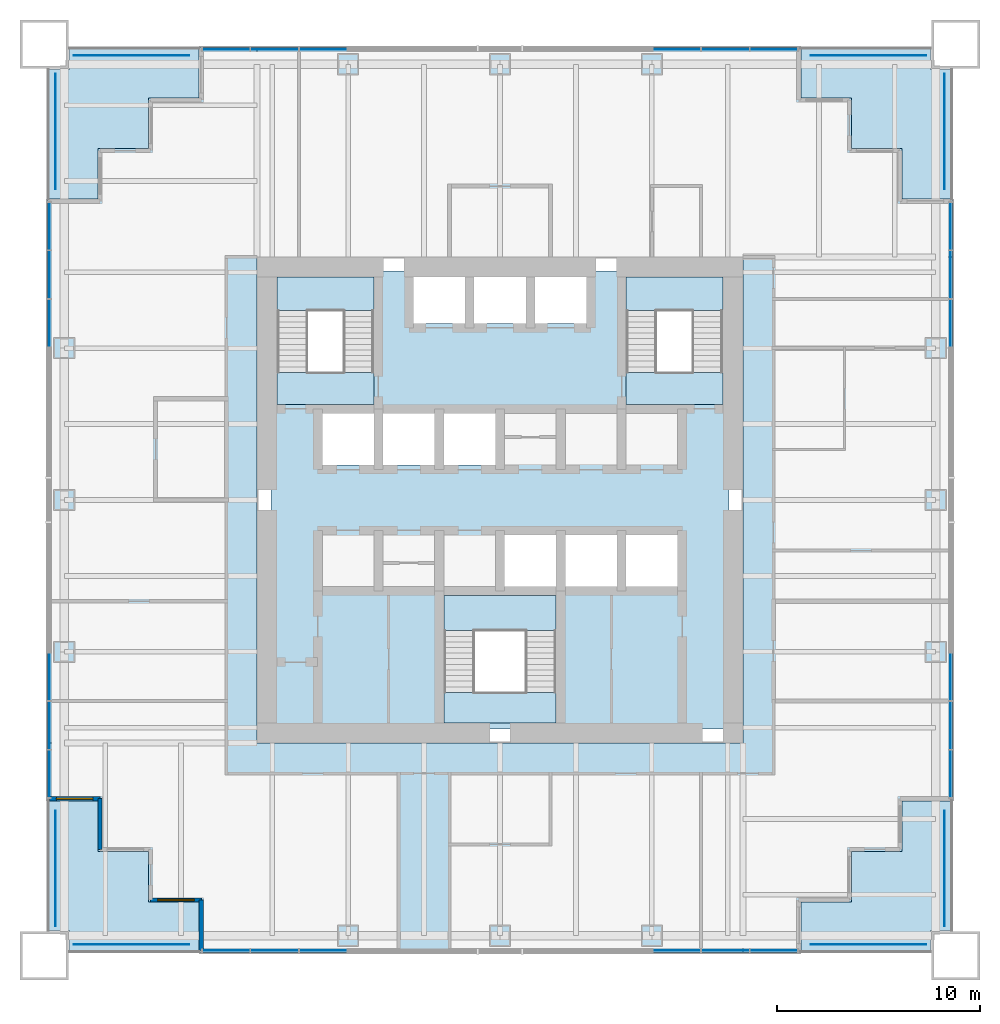
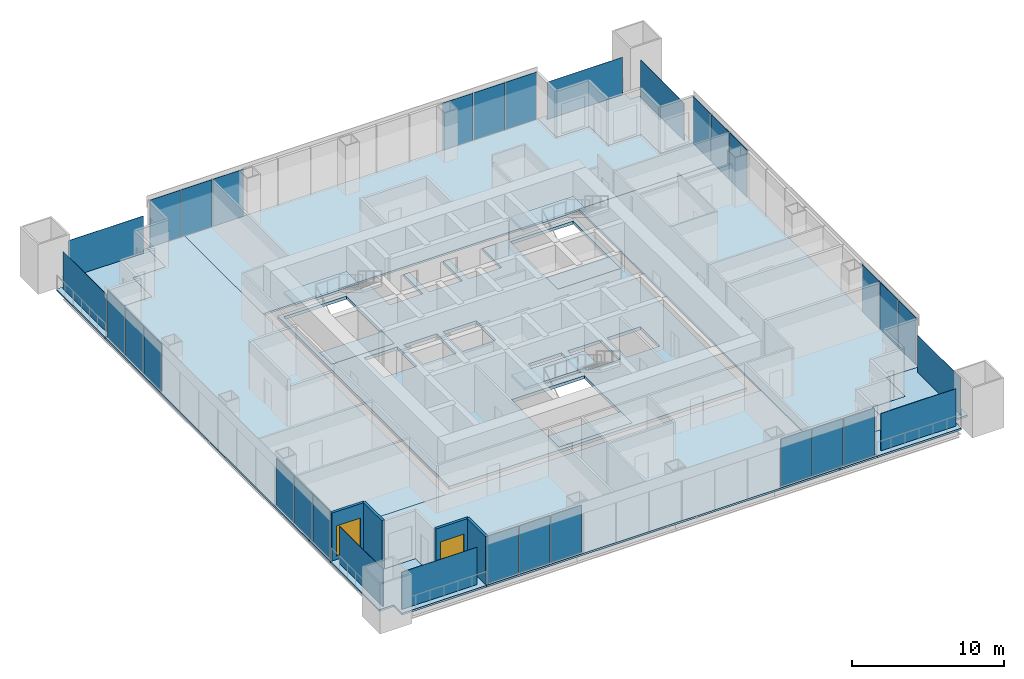
# One storey, part 7 of 13: 32 plates, 15 slabs, 4 walls, 2 windows, 2 openings, 11 elements without a shape of their own.
"""IFC4 building model written with IfcOpenShell, lengths in metres."""

from ifc_helpers import new_model, si_unit, direction, frame, frame_2d, origin, origin_2d, place, context, subcontext, project, spatial, polyline, rectangle, outline, extrude, material, layer, layer_set, type_object, element, fill, aggregate, save


model = new_model("IFC4")

# Units and contexts
model_context = context("Model", 3, precision=1e-05, world=origin(), true_north=direction((0.0, 1.0)))
body_context = subcontext(model_context, "Body", "Model", "MODEL_VIEW")
ifc_project = project(units=[si_unit("LENGTHUNIT", "METRE"), si_unit("AREAUNIT", "SQUARE_METRE"), si_unit("VOLUMEUNIT", "CUBIC_METRE"), si_unit("PLANEANGLEUNIT", "RADIAN"), si_unit("MASSUNIT", "GRAM", prefix="KILO")], contexts=[model_context])

# Site, building, storey
site_placement = place(None, origin())
site = spatial("IfcSite", under=ifc_project, at=site_placement, CompositionType="ELEMENT")
building_placement = place(site_placement, origin())
building = spatial("IfcBuilding", under=site, at=building_placement, Name="Tarangal Relay Tower", CompositionType="ELEMENT")
storey_placement = place(building_placement, frame((0.0, 0.0, 197.89990234375)))
storey = spatial("IfcBuildingStorey", under=building, at=storey_placement, Name="L41", CompositionType="ELEMENT", Elevation=197.89990234375)

# Slabs
ifc_material_1 = material(Name="Concrete fc' 35 MPa", Category="concrete")
ifc_layer_1 = layer(ifc_material_1, 0.25)
ifc_layer_set_1 = layer_set([ifc_layer_1], Name="Core floor slab 250")
slab_type_1 = type_object("IfcSlabType", Name="Core floor slab 250", PredefinedType="FLOOR", material=ifc_layer_set_1)
slab_1_placement = place(storey_placement, frame((0.0, 0.0, -0.25)))
element("IfcSlab", 1, at=slab_1_placement, inside=storey, type_object=slab_type_1, Name="Core floor slab L41", PredefinedType="FLOOR", context=body_context, shape_type="SweptSolid", body=[
    extrude(outline(polyline([(11.300048828125, 11.300048828125), (11.300048828125, -11.300048828125), (-11.300048828125, -11.300048828125), (-11.300048828125, 11.300048828125), (-4.27490234375, 11.300048828125), (-4.27490234375, 8.72509765625), (-1.72509765625, 8.72509765625), (-1.72509765625, 11.300048828125), (-1.27490234375, 11.300048828125), (-1.27490234375, 8.72509765625), (1.27490234375, 8.72509765625), (1.27490234375, 11.300048828125), (1.72509765625, 11.300048828125), (1.72509765625, 8.72509765625), (4.27490234375, 8.72509765625), (4.27490234375, 11.300048828125), (11.300048828125, 11.300048828125)]), holes=[polyline([(-6.22509765625, 4.27490234375), (-8.77490234375, 4.27490234375), (-8.77490234375, 1.72509765625), (-6.22509765625, 1.72509765625), (-6.22509765625, 4.27490234375)]), polyline([(-3.22509765625, 1.72509765625), (-3.22509765625, 4.27490234375), (-5.77490234375, 4.27490234375), (-5.77490234375, 1.72509765625), (-3.22509765625, 1.72509765625)]), polyline([(-0.22509765625, 1.72509765625), (-0.22509765625, 4.27490234375), (-2.77490234375, 4.27490234375), (-2.77490234375, 1.72509765625), (-0.22509765625, 1.72509765625)]), polyline([(-6.22509765625, 11.0), (-11.0, 11.0), (-11.0, 4.72509765625), (-6.22509765625, 4.72509765625), (-6.22509765625, 11.0)]), polyline([(2.77490234375, -4.72509765625), (-2.77490234375, -4.72509765625), (-2.77490234375, -11.0), (2.77490234375, -11.0), (2.77490234375, -4.72509765625)]), polyline([(2.77490234375, -4.27490234375), (2.77490234375, -1.72509765625), (0.22509765625, -1.72509765625), (0.22509765625, -4.27490234375), (2.77490234375, -4.27490234375)]), polyline([(5.77490234375, -4.27490234375), (5.77490234375, -1.72509765625), (3.22509765625, -1.72509765625), (3.22509765625, -4.27490234375), (5.77490234375, -4.27490234375)]), polyline([(8.77490234375, -1.72509765625), (6.22509765625, -1.72509765625), (6.22509765625, -4.27490234375), (8.77490234375, -4.27490234375), (8.77490234375, -1.72509765625)]), polyline([(11.0, 4.72509765625), (11.0, 11.0), (6.22509765625, 11.0), (6.22509765625, 4.72509765625), (11.0, 4.72509765625)])]), origin(), (0.0, 0.0, 1.0), 0.25),
])
ifc_layer_2 = layer(ifc_material_1, 0.14990234375)
ifc_layer_set_2 = layer_set([ifc_layer_2], Name="Floor slab 150")
slab_type_2 = type_object("IfcSlabType", Name="Floor slab 150", PredefinedType="FLOOR", material=ifc_layer_set_2)
slab_2_placement = place(storey_placement, frame((0.0, 0.0, -0.14990234375)))
element("IfcSlab", 2, at=slab_2_placement, inside=storey, type_object=slab_type_2, Name="Floor slab FS3 L41 north bay", PredefinedType="FLOOR", context=body_context, shape_type="SweptSolid", body=[
    extrude(outline(polyline([(14.85009765625, 22.35009765625), (14.85009765625, 19.85009765625), (17.35009765625, 19.85009765625), (17.35009765625, 17.35009765625), (19.85009765625, 17.35009765625), (19.85009765625, 14.85009765625), (22.35009765625, 14.85009765625), (22.35009765625, 12.0), (-12.0, 12.0), (-12.0, 22.35009765625), (14.85009765625, 22.35009765625)])), origin(), (0.0, 0.0, 1.0), 0.14990234375),
])
slab_3_placement = place(storey_placement, frame((0.0, 0.0, -0.14990234375)))
element("IfcSlab", 3, at=slab_3_placement, inside=storey, type_object=slab_type_2, Name="Floor slab FS3 L41 east bay", PredefinedType="FLOOR", context=body_context, shape_type="SweptSolid", body=[
    extrude(outline(polyline([(22.35009765625, -14.85009765625), (19.85009765625, -14.85009765625), (19.85009765625, -17.35009765625), (17.35009765625, -17.35009765625), (17.35009765625, -19.85009765625), (14.85009765625, -19.85009765625), (14.85009765625, -22.35009765625), (12.0, -22.35009765625), (12.0, 12.0), (22.35009765625, 12.0), (22.35009765625, -14.85009765625)])), origin(), (0.0, 0.0, 1.0), 0.14990234375),
])
slab_4_placement = place(storey_placement, frame((0.0, 0.0, -0.14990234375)))
element("IfcSlab", 4, at=slab_4_placement, inside=storey, type_object=slab_type_2, Name="Floor slab FS3 L41 south bay", PredefinedType="FLOOR", context=body_context, shape_type="SweptSolid", body=[
    extrude(outline(polyline([(-14.85009765625, -22.35009765625), (-14.85009765625, -19.85009765625), (-17.35009765625, -19.85009765625), (-17.35009765625, -17.35009765625), (-19.85009765625, -17.35009765625), (-19.85009765625, -14.85009765625), (-22.35009765625, -14.85009765625), (-22.35009765625, -12.0), (12.0, -12.0), (12.0, -22.35009765625), (-14.85009765625, -22.35009765625)])), origin(), (0.0, 0.0, 1.0), 0.14990234375),
])
slab_5_placement = place(storey_placement, frame((0.0, 0.0, -0.14990234375)))
element("IfcSlab", 5, at=slab_5_placement, inside=storey, type_object=slab_type_2, Name="Floor slab FS3 L41 west bay", PredefinedType="FLOOR", context=body_context, shape_type="SweptSolid", body=[
    extrude(outline(polyline([(-12.0, 22.35009765625), (-12.0, -12.0), (-22.35009765625, -12.0), (-22.35009765625, 14.85009765625), (-19.85009765625, 14.85009765625), (-19.85009765625, 17.35009765625), (-17.35009765625, 17.35009765625), (-17.35009765625, 19.85009765625), (-14.85009765625, 19.85009765625), (-14.85009765625, 22.35009765625), (-12.0, 22.35009765625)])), origin(), (0.0, 0.0, 1.0), 0.14990234375),
])

# Curtain wall, plates
ifc_material_2 = material(Name="Unitised curtain wall, dark glass and black aluminium", Category="aluminium")
curtain_wall_type = type_object("IfcCurtainWallType", Name="Curtain wall CW-A", PredefinedType="USERDEFINED", material=ifc_material_2)
curtain_wall_1_placement = place(storey_placement, origin())
curtain_wall_1 = element("IfcCurtainWall", 6, at=curtain_wall_1_placement, inside=storey, type_object=curtain_wall_type, Name="Curtain wall CW-A N facade L41", ObjectType="UNITISED CURTAIN WALL", PredefinedType="USERDEFINED")
ifc_material_3 = material(Name="Dark tinted insulated glass unit", Category="glass")
ifc_layer_3 = layer(ifc_material_3, 0.031982421875)
ifc_layer_set_3 = layer_set([ifc_layer_3], Name="Glazed panel CW-A 32")
plate_type_1 = type_object("IfcPlateType", Name="Glazed panel CW-A 32", PredefinedType="CURTAIN_PANEL", material=ifc_layer_set_3)
plate_1_placement = place(storey_placement, frame((-13.525390625, 22.25, 0.06494140625), z_axis=(0.0, 0.0, 1.0), x_axis=(1.0, 0.0, 0.0)))
plate_1 = element("IfcPlate", 7, at=plate_1_placement, type_object=plate_type_1, Name="CW-A panel 1.1", PredefinedType="CURTAIN_PANEL", context=body_context, shape_type="SweptSolid", body=[
    extrude(rectangle(XDim=2.319091796875, YDim=0.031982421875, at=origin_2d()), origin(), (0.0, 0.0, 1.0), 3.784912109375),
])
plate_2_placement = place(storey_placement, frame((-11.125, 22.25, 0.06494140625), z_axis=(0.0, 0.0, 1.0), x_axis=(1.0, 0.0, 0.0)))
plate_2 = element("IfcPlate", 8, at=plate_2_placement, type_object=plate_type_1, Name="CW-A panel 2.1", PredefinedType="CURTAIN_PANEL", context=body_context, shape_type="SweptSolid", body=[
    extrude(rectangle(XDim=2.3515625, YDim=0.031982421875, at=origin_2d()), origin(), (0.0, 0.0, 1.0), 3.784912109375),
])
plate_3_placement = place(storey_placement, frame((-8.724609375, 22.25, 0.06494140625), z_axis=(0.0, 0.0, 1.0), x_axis=(1.0, 0.0, 0.0)))
plate_3 = element("IfcPlate", 9, at=plate_3_placement, type_object=plate_type_1, Name="CW-A panel 3.1", PredefinedType="CURTAIN_PANEL", context=body_context, shape_type="SweptSolid", body=[
    extrude(rectangle(XDim=2.319091796875, YDim=0.031982421875, at=origin_2d()), origin(), (0.0, 0.0, 1.0), 3.784912109375),
])
aggregate(curtain_wall_1, [plate_1, plate_2, plate_3])

curtain_wall_2_placement = place(storey_placement, origin())
curtain_wall_2 = element("IfcCurtainWall", 10, at=curtain_wall_2_placement, inside=storey, type_object=curtain_wall_type, Name="Curtain wall CW-A N facade L41", ObjectType="UNITISED CURTAIN WALL", PredefinedType="USERDEFINED")
plate_4_placement = place(storey_placement, frame((8.724609375, 22.25, 0.06494140625), z_axis=(0.0, 0.0, 1.0), x_axis=(1.0, 0.0, 0.0)))
plate_4 = element("IfcPlate", 11, at=plate_4_placement, type_object=plate_type_1, Name="CW-A panel 1.1", PredefinedType="CURTAIN_PANEL", context=body_context, shape_type="SweptSolid", body=[
    extrude(rectangle(XDim=2.319091796875, YDim=0.031982421875, at=origin_2d()), origin(), (0.0, 0.0, 1.0), 3.784912109375),
])
plate_5_placement = place(storey_placement, frame((11.125, 22.25, 0.06494140625), z_axis=(0.0, 0.0, 1.0), x_axis=(1.0, 0.0, 0.0)))
plate_5 = element("IfcPlate", 12, at=plate_5_placement, type_object=plate_type_1, Name="CW-A panel 2.1", PredefinedType="CURTAIN_PANEL", context=body_context, shape_type="SweptSolid", body=[
    extrude(rectangle(XDim=2.3515625, YDim=0.031982421875, at=origin_2d()), origin(), (0.0, 0.0, 1.0), 3.784912109375),
])
plate_6_placement = place(storey_placement, frame((13.525390625, 22.25, 0.06494140625), z_axis=(0.0, 0.0, 1.0), x_axis=(1.0, 0.0, 0.0)))
plate_6 = element("IfcPlate", 13, at=plate_6_placement, type_object=plate_type_1, Name="CW-A panel 3.1", PredefinedType="CURTAIN_PANEL", context=body_context, shape_type="SweptSolid", body=[
    extrude(rectangle(XDim=2.319091796875, YDim=0.031982421875, at=origin_2d()), origin(), (0.0, 0.0, 1.0), 3.784912109375),
])
aggregate(curtain_wall_2, [plate_4, plate_5, plate_6])

curtain_wall_3_placement = place(storey_placement, origin())
curtain_wall_3 = element("IfcCurtainWall", 14, at=curtain_wall_3_placement, inside=storey, type_object=curtain_wall_type, Name="Curtain wall CW-A E facade L41", ObjectType="UNITISED CURTAIN WALL", PredefinedType="USERDEFINED")
plate_7_placement = place(storey_placement, frame((22.25, 13.525390625, 0.06494140625), z_axis=(0.0, 0.0, 1.0), x_axis=(0.0, -1.0, 0.0)))
plate_7 = element("IfcPlate", 15, at=plate_7_placement, type_object=plate_type_1, Name="CW-A panel 1.1", PredefinedType="CURTAIN_PANEL", context=body_context, shape_type="SweptSolid", body=[
    extrude(rectangle(XDim=2.319091796875, YDim=0.031982421875, at=origin_2d()), origin(), (0.0, 0.0, 1.0), 3.784912109375),
])
plate_8_placement = place(storey_placement, frame((22.25, 11.125, 0.06494140625), z_axis=(0.0, 0.0, 1.0), x_axis=(0.0, -1.0, 0.0)))
plate_8 = element("IfcPlate", 16, at=plate_8_placement, type_object=plate_type_1, Name="CW-A panel 2.1", PredefinedType="CURTAIN_PANEL", context=body_context, shape_type="SweptSolid", body=[
    extrude(rectangle(XDim=2.3515625, YDim=0.031982421875, at=origin_2d()), origin(), (0.0, 0.0, 1.0), 3.784912109375),
])
plate_9_placement = place(storey_placement, frame((22.25, 8.724609375, 0.06494140625), z_axis=(0.0, 0.0, 1.0), x_axis=(0.0, -1.0, 0.0)))
plate_9 = element("IfcPlate", 17, at=plate_9_placement, type_object=plate_type_1, Name="CW-A panel 3.1", PredefinedType="CURTAIN_PANEL", context=body_context, shape_type="SweptSolid", body=[
    extrude(rectangle(XDim=2.319091796875, YDim=0.031982421875, at=origin_2d()), origin(), (0.0, 0.0, 1.0), 3.784912109375),
])
aggregate(curtain_wall_3, [plate_7, plate_8, plate_9])

curtain_wall_4_placement = place(storey_placement, origin())
curtain_wall_4 = element("IfcCurtainWall", 18, at=curtain_wall_4_placement, inside=storey, type_object=curtain_wall_type, Name="Curtain wall CW-A E facade L41", ObjectType="UNITISED CURTAIN WALL", PredefinedType="USERDEFINED")
plate_10_placement = place(storey_placement, frame((22.25, -8.724609375, 0.06494140625), z_axis=(0.0, 0.0, 1.0), x_axis=(0.0, -1.0, 0.0)))
plate_10 = element("IfcPlate", 19, at=plate_10_placement, type_object=plate_type_1, Name="CW-A panel 1.1", PredefinedType="CURTAIN_PANEL", context=body_context, shape_type="SweptSolid", body=[
    extrude(rectangle(XDim=2.319091796875, YDim=0.031982421875, at=origin_2d()), origin(), (0.0, 0.0, 1.0), 3.784912109375),
])
plate_11_placement = place(storey_placement, frame((22.25, -11.125, 0.06494140625), z_axis=(0.0, 0.0, 1.0), x_axis=(0.0, -1.0, 0.0)))
plate_11 = element("IfcPlate", 20, at=plate_11_placement, type_object=plate_type_1, Name="CW-A panel 2.1", PredefinedType="CURTAIN_PANEL", context=body_context, shape_type="SweptSolid", body=[
    extrude(rectangle(XDim=2.3515625, YDim=0.031982421875, at=origin_2d()), origin(), (0.0, 0.0, 1.0), 3.784912109375),
])
plate_12_placement = place(storey_placement, frame((22.25, -13.525390625, 0.06494140625), z_axis=(0.0, 0.0, 1.0), x_axis=(0.0, -1.0, 0.0)))
plate_12 = element("IfcPlate", 21, at=plate_12_placement, type_object=plate_type_1, Name="CW-A panel 3.1", PredefinedType="CURTAIN_PANEL", context=body_context, shape_type="SweptSolid", body=[
    extrude(rectangle(XDim=2.319091796875, YDim=0.031982421875, at=origin_2d()), origin(), (0.0, 0.0, 1.0), 3.784912109375),
])
aggregate(curtain_wall_4, [plate_10, plate_11, plate_12])

curtain_wall_5_placement = place(storey_placement, origin())
curtain_wall_5 = element("IfcCurtainWall", 22, at=curtain_wall_5_placement, inside=storey, type_object=curtain_wall_type, Name="Curtain wall CW-A S facade L41", ObjectType="UNITISED CURTAIN WALL", PredefinedType="USERDEFINED")
plate_13_placement = place(storey_placement, frame((13.525390625, -22.25, 0.06494140625), z_axis=(0.0, 0.0, 1.0), x_axis=(-1.0, 0.0, 0.0)))
plate_13 = element("IfcPlate", 23, at=plate_13_placement, type_object=plate_type_1, Name="CW-A panel 1.1", PredefinedType="CURTAIN_PANEL", context=body_context, shape_type="SweptSolid", body=[
    extrude(rectangle(XDim=2.319091796875, YDim=0.031982421875, at=origin_2d()), origin(), (0.0, 0.0, 1.0), 3.784912109375),
])
plate_14_placement = place(storey_placement, frame((11.125, -22.25, 0.06494140625), z_axis=(0.0, 0.0, 1.0), x_axis=(-1.0, 0.0, 0.0)))
plate_14 = element("IfcPlate", 24, at=plate_14_placement, type_object=plate_type_1, Name="CW-A panel 2.1", PredefinedType="CURTAIN_PANEL", context=body_context, shape_type="SweptSolid", body=[
    extrude(rectangle(XDim=2.3515625, YDim=0.031982421875, at=origin_2d()), origin(), (0.0, 0.0, 1.0), 3.784912109375),
])
plate_15_placement = place(storey_placement, frame((8.724609375, -22.25, 0.06494140625), z_axis=(0.0, 0.0, 1.0), x_axis=(-1.0, 0.0, 0.0)))
plate_15 = element("IfcPlate", 25, at=plate_15_placement, type_object=plate_type_1, Name="CW-A panel 3.1", PredefinedType="CURTAIN_PANEL", context=body_context, shape_type="SweptSolid", body=[
    extrude(rectangle(XDim=2.319091796875, YDim=0.031982421875, at=origin_2d()), origin(), (0.0, 0.0, 1.0), 3.784912109375),
])
aggregate(curtain_wall_5, [plate_13, plate_14, plate_15])

curtain_wall_6_placement = place(storey_placement, origin())
curtain_wall_6 = element("IfcCurtainWall", 26, at=curtain_wall_6_placement, inside=storey, type_object=curtain_wall_type, Name="Curtain wall CW-A S facade L41", ObjectType="UNITISED CURTAIN WALL", PredefinedType="USERDEFINED")
plate_16_placement = place(storey_placement, frame((-8.724609375, -22.25, 0.06494140625), z_axis=(0.0, 0.0, 1.0), x_axis=(-1.0, 0.0, 0.0)))
plate_16 = element("IfcPlate", 27, at=plate_16_placement, type_object=plate_type_1, Name="CW-A panel 1.1", PredefinedType="CURTAIN_PANEL", context=body_context, shape_type="SweptSolid", body=[
    extrude(rectangle(XDim=2.319091796875, YDim=0.031982421875, at=origin_2d()), origin(), (0.0, 0.0, 1.0), 3.784912109375),
])
plate_17_placement = place(storey_placement, frame((-11.125, -22.25, 0.06494140625), z_axis=(0.0, 0.0, 1.0), x_axis=(-1.0, 0.0, 0.0)))
plate_17 = element("IfcPlate", 28, at=plate_17_placement, type_object=plate_type_1, Name="CW-A panel 2.1", PredefinedType="CURTAIN_PANEL", context=body_context, shape_type="SweptSolid", body=[
    extrude(rectangle(XDim=2.3515625, YDim=0.031982421875, at=origin_2d()), origin(), (0.0, 0.0, 1.0), 3.784912109375),
])
plate_18_placement = place(storey_placement, frame((-13.525390625, -22.25, 0.06494140625), z_axis=(0.0, 0.0, 1.0), x_axis=(-1.0, 0.0, 0.0)))
plate_18 = element("IfcPlate", 29, at=plate_18_placement, type_object=plate_type_1, Name="CW-A panel 3.1", PredefinedType="CURTAIN_PANEL", context=body_context, shape_type="SweptSolid", body=[
    extrude(rectangle(XDim=2.319091796875, YDim=0.031982421875, at=origin_2d()), origin(), (0.0, 0.0, 1.0), 3.784912109375),
])
aggregate(curtain_wall_6, [plate_16, plate_17, plate_18])

curtain_wall_7_placement = place(storey_placement, origin())
curtain_wall_7 = element("IfcCurtainWall", 30, at=curtain_wall_7_placement, inside=storey, type_object=curtain_wall_type, Name="Curtain wall CW-A W facade L41", ObjectType="UNITISED CURTAIN WALL", PredefinedType="USERDEFINED")
plate_19_placement = place(storey_placement, frame((-22.25, -13.525390625, 0.06494140625), z_axis=(0.0, 0.0, 1.0), x_axis=(0.0, 1.0, 0.0)))
plate_19 = element("IfcPlate", 31, at=plate_19_placement, type_object=plate_type_1, Name="CW-A panel 1.1", PredefinedType="CURTAIN_PANEL", context=body_context, shape_type="SweptSolid", body=[
    extrude(rectangle(XDim=2.319091796875, YDim=0.031982421875, at=origin_2d()), origin(), (0.0, 0.0, 1.0), 3.784912109375),
])
plate_20_placement = place(storey_placement, frame((-22.25, -11.125, 0.06494140625), z_axis=(0.0, 0.0, 1.0), x_axis=(0.0, 1.0, 0.0)))
plate_20 = element("IfcPlate", 32, at=plate_20_placement, type_object=plate_type_1, Name="CW-A panel 2.1", PredefinedType="CURTAIN_PANEL", context=body_context, shape_type="SweptSolid", body=[
    extrude(rectangle(XDim=2.3515625, YDim=0.031982421875, at=origin_2d()), origin(), (0.0, 0.0, 1.0), 3.784912109375),
])
plate_21_placement = place(storey_placement, frame((-22.25, -8.724609375, 0.06494140625), z_axis=(0.0, 0.0, 1.0), x_axis=(0.0, 1.0, 0.0)))
plate_21 = element("IfcPlate", 33, at=plate_21_placement, type_object=plate_type_1, Name="CW-A panel 3.1", PredefinedType="CURTAIN_PANEL", context=body_context, shape_type="SweptSolid", body=[
    extrude(rectangle(XDim=2.319091796875, YDim=0.031982421875, at=origin_2d()), origin(), (0.0, 0.0, 1.0), 3.784912109375),
])
aggregate(curtain_wall_7, [plate_19, plate_20, plate_21])

curtain_wall_8_placement = place(storey_placement, origin())
curtain_wall_8 = element("IfcCurtainWall", 34, at=curtain_wall_8_placement, inside=storey, type_object=curtain_wall_type, Name="Curtain wall CW-A W facade L41", ObjectType="UNITISED CURTAIN WALL", PredefinedType="USERDEFINED")
plate_22_placement = place(storey_placement, frame((-22.25, 8.724609375, 0.06494140625), z_axis=(0.0, 0.0, 1.0), x_axis=(0.0, 1.0, 0.0)))
plate_22 = element("IfcPlate", 35, at=plate_22_placement, type_object=plate_type_1, Name="CW-A panel 1.1", PredefinedType="CURTAIN_PANEL", context=body_context, shape_type="SweptSolid", body=[
    extrude(rectangle(XDim=2.319091796875, YDim=0.031982421875, at=origin_2d()), origin(), (0.0, 0.0, 1.0), 3.784912109375),
])
plate_23_placement = place(storey_placement, frame((-22.25, 11.125, 0.06494140625), z_axis=(0.0, 0.0, 1.0), x_axis=(0.0, 1.0, 0.0)))
plate_23 = element("IfcPlate", 36, at=plate_23_placement, type_object=plate_type_1, Name="CW-A panel 2.1", PredefinedType="CURTAIN_PANEL", context=body_context, shape_type="SweptSolid", body=[
    extrude(rectangle(XDim=2.3515625, YDim=0.031982421875, at=origin_2d()), origin(), (0.0, 0.0, 1.0), 3.784912109375),
])
plate_24_placement = place(storey_placement, frame((-22.25, 13.525390625, 0.06494140625), z_axis=(0.0, 0.0, 1.0), x_axis=(0.0, 1.0, 0.0)))
plate_24 = element("IfcPlate", 37, at=plate_24_placement, type_object=plate_type_1, Name="CW-A panel 3.1", PredefinedType="CURTAIN_PANEL", context=body_context, shape_type="SweptSolid", body=[
    extrude(rectangle(XDim=2.319091796875, YDim=0.031982421875, at=origin_2d()), origin(), (0.0, 0.0, 1.0), 3.784912109375),
])
aggregate(curtain_wall_8, [plate_22, plate_23, plate_24])

# Plates
ifc_material_4 = material(Name="Black stainless steel cable trellis with climbing planting", Category="steel")
ifc_layer_4 = layer(ifc_material_4, 0.030029296875)
ifc_layer_set_4 = layer_set([ifc_layer_4], Name="Planted trellis screen")
plate_type_2 = type_object("IfcPlateType", Name="Planted trellis screen", PredefinedType="SHEET", material=ifc_layer_set_4)
for number, where, z_axis, x_axis, name in (
    (38, (21.949951171875, 18.199951171875, 0.0), (0.0, 0.0, 1.0), (0.0, -1.0, 0.0), "Planted trellis SC2 NE L41"),
    (39, (18.199951171875, -21.949951171875, 0.0), (0.0, 0.0, 1.0), (-1.0, 0.0, 0.0), "Planted trellis SC2 SE L41"),
    (40, (-21.949951171875, -18.199951171875, 0.0), (0.0, 0.0, 1.0), (0.0, 1.0, 0.0), "Planted trellis SC2 SW L41"),
    (41, (-18.199951171875, 21.949951171875, 0.0), (0.0, 0.0, 1.0), (1.0, 0.0, 0.0), "Planted trellis SC2 NW L41"),
):
    element("IfcPlate", number, at=place(storey_placement, frame(where, z_axis=z_axis, x_axis=x_axis)), inside=storey, type_object=plate_type_2, Name=name, PredefinedType="SHEET", context=body_context, shape_type="SweptSolid", body=[
        extrude(rectangle(XDim=5.699951171875, YDim=0.030029296875, at=origin_2d()), origin(), (0.0, 0.0, 1.0), 3.0),
    ])

# Stair, slabs
ifc_material_5 = material(Name="Steel ASTM A992 stair flight", Category="steel")
stair_type = type_object("IfcStairType", Name="Core stair 1500", PredefinedType="HALF_TURN_STAIR", material=ifc_material_5)
stair_1_placement = place(storey_placement, origin())
stair_1 = element("IfcStair", 42, at=stair_1_placement, inside=storey, type_object=stair_type, Name="Stair ST-A L41", PredefinedType="HALF_TURN_STAIR")
ifc_layer_5 = layer(ifc_material_1, 0.199951171875)
ifc_layer_set_5 = layer_set([ifc_layer_5], Name="Stair landing 200")
slab_type_3 = type_object("IfcSlabType", Name="Stair landing 200", PredefinedType="LANDING", material=ifc_layer_set_5)
slab_6_placement = place(storey_placement, frame((0.0, 0.0, -0.199951171875)))
slab_6 = element("IfcSlab", 43, at=slab_6_placement, type_object=slab_type_3, Name="ST-A landing 1", PredefinedType="LANDING", context=body_context, shape_type="SweptSolid", body=[
    extrude(outline(polyline([(-11.0, 4.72509765625), (-6.22509765625, 4.72509765625), (-6.22509765625, 6.300048828125), (-11.0, 6.300048828125), (-11.0, 4.72509765625)])), origin(), (0.0, 0.0, 1.0), 0.199951171875),
])
slab_7_placement = place(storey_placement, frame((0.0, 0.0, 1.800048828125)))
slab_7 = element("IfcSlab", 44, at=slab_7_placement, type_object=slab_type_3, Name="ST-A landing 2", PredefinedType="LANDING", context=body_context, shape_type="SweptSolid", body=[
    extrude(outline(polyline([(-11.0, 9.346923828125), (-6.22509765625, 9.346923828125), (-6.22509765625, 11.0), (-11.0, 11.0), (-11.0, 9.346923828125)])), origin(), (0.0, 0.0, 1.0), 0.199951171875),
])
aggregate(stair_1, [slab_6, slab_7])

stair_2_placement = place(storey_placement, origin())
stair_2 = element("IfcStair", 45, at=stair_2_placement, inside=storey, type_object=stair_type, Name="Stair ST-B L41", PredefinedType="HALF_TURN_STAIR")
slab_8_placement = place(storey_placement, frame((0.0, 0.0, -0.199951171875)))
slab_8 = element("IfcSlab", 46, at=slab_8_placement, type_object=slab_type_3, Name="ST-B landing 1", PredefinedType="LANDING", context=body_context, shape_type="SweptSolid", body=[
    extrude(outline(polyline([(6.22509765625, 4.72509765625), (11.0, 4.72509765625), (11.0, 6.300048828125), (6.22509765625, 6.300048828125), (6.22509765625, 4.72509765625)])), origin(), (0.0, 0.0, 1.0), 0.199951171875),
])
slab_9_placement = place(storey_placement, frame((0.0, 0.0, 1.800048828125)))
slab_9 = element("IfcSlab", 47, at=slab_9_placement, type_object=slab_type_3, Name="ST-B landing 2", PredefinedType="LANDING", context=body_context, shape_type="SweptSolid", body=[
    extrude(outline(polyline([(6.22509765625, 9.346923828125), (11.0, 9.346923828125), (11.0, 11.0), (6.22509765625, 11.0), (6.22509765625, 9.346923828125)])), origin(), (0.0, 0.0, 1.0), 0.199951171875),
])
aggregate(stair_2, [slab_8, slab_9])

stair_3_placement = place(storey_placement, origin())
stair_3 = element("IfcStair", 48, at=stair_3_placement, inside=storey, type_object=stair_type, Name="Stair ST-C L41", PredefinedType="HALF_TURN_STAIR")
slab_10_placement = place(storey_placement, frame((0.0, 0.0, -0.199951171875)))
slab_10 = element("IfcSlab", 49, at=slab_10_placement, type_object=slab_type_3, Name="ST-C landing 1", PredefinedType="LANDING", context=body_context, shape_type="SweptSolid", body=[
    extrude(outline(polyline([(-2.77490234375, -11.0), (2.77490234375, -11.0), (2.77490234375, -9.5), (-2.77490234375, -9.5), (-2.77490234375, -11.0)])), origin(), (0.0, 0.0, 1.0), 0.199951171875),
])
slab_11_placement = place(storey_placement, frame((0.0, 0.0, 1.800048828125)))
slab_11 = element("IfcSlab", 50, at=slab_11_placement, type_object=slab_type_3, Name="ST-C landing 2", PredefinedType="LANDING", context=body_context, shape_type="SweptSolid", body=[
    extrude(outline(polyline([(-2.77490234375, -6.452880859375), (2.77490234375, -6.452880859375), (2.77490234375, -4.72509765625), (-2.77490234375, -4.72509765625), (-2.77490234375, -6.452880859375)])), origin(), (0.0, 0.0, 1.0), 0.199951171875),
])
aggregate(stair_3, [slab_10, slab_11])

# Plates
ifc_material_6 = material(Name="Perforated black aluminium screen", Category="aluminium")
ifc_layer_6 = layer(ifc_material_6, 0.02001953125)
ifc_layer_set_6 = layer_set([ifc_layer_6], Name="Terrace screen panel")
plate_type_3 = type_object("IfcPlateType", Name="Terrace screen panel", PredefinedType="SHEET", material=ifc_layer_set_6)
for number, where, z_axis, x_axis, name in (
    (51, (18.199951171875, 21.949951171875, 0.0), (0.0, 0.0, 1.0), (1.0, 0.0, 0.0), "Terrace screen SC1 NE L41"),
    (52, (21.949951171875, -18.199951171875, 0.0), (0.0, 0.0, 1.0), (0.0, -1.0, 0.0), "Terrace screen SC1 SE L41"),
    (53, (-18.199951171875, -21.949951171875, 0.0), (0.0, 0.0, 1.0), (-1.0, 0.0, 0.0), "Terrace screen SC1 SW L41"),
    (54, (-21.949951171875, 18.199951171875, 0.0), (0.0, 0.0, 1.0), (0.0, 1.0, 0.0), "Terrace screen SC1 NW L41"),
):
    element("IfcPlate", number, at=place(storey_placement, frame(where, z_axis=z_axis, x_axis=x_axis)), inside=storey, type_object=plate_type_3, Name=name, PredefinedType="SHEET", context=body_context, shape_type="SweptSolid", body=[
        extrude(rectangle(XDim=5.699951171875, YDim=0.02001953125, at=origin_2d()), origin(), (0.0, 0.0, 1.0), 3.0),
    ])

# Slabs
ifc_layer_7 = layer(ifc_material_1, 0.14990234375)
ifc_layer_set_7 = layer_set([ifc_layer_7], Name="Terrace slab 150")
slab_type_4 = type_object("IfcSlabType", Name="Terrace slab 150", PredefinedType="FLOOR", material=ifc_layer_set_7)
slab_12_placement = place(storey_placement, frame((0.0, 0.0, -0.14990234375)))
element("IfcSlab", 55, at=slab_12_placement, inside=storey, type_object=slab_type_4, Name="Corner terrace NE L41", PredefinedType="FLOOR", context=body_context, shape_type="SweptSolid", body=[
    extrude(outline(polyline([(14.85009765625, 22.35009765625), (14.85009765625, 19.85009765625), (17.35009765625, 19.85009765625), (17.35009765625, 17.35009765625), (19.85009765625, 17.35009765625), (19.85009765625, 14.85009765625), (22.35009765625, 14.85009765625), (22.35009765625, 21.25), (21.25, 21.25), (21.25, 22.35009765625), (14.85009765625, 22.35009765625)])), origin(), (0.0, 0.0, 1.0), 0.14990234375),
])
slab_13_placement = place(storey_placement, frame((0.0, 0.0, -0.14990234375)))
element("IfcSlab", 56, at=slab_13_placement, inside=storey, type_object=slab_type_4, Name="Corner terrace SE L41", PredefinedType="FLOOR", context=body_context, shape_type="SweptSolid", body=[
    extrude(outline(polyline([(22.35009765625, -14.85009765625), (19.85009765625, -14.85009765625), (19.85009765625, -17.35009765625), (17.35009765625, -17.35009765625), (17.35009765625, -19.85009765625), (14.85009765625, -19.85009765625), (14.85009765625, -22.35009765625), (21.25, -22.35009765625), (21.25, -21.25), (22.35009765625, -21.25), (22.35009765625, -14.85009765625)])), origin(), (0.0, 0.0, 1.0), 0.14990234375),
])
slab_14_placement = place(storey_placement, frame((0.0, 0.0, -0.14990234375)))
element("IfcSlab", 57, at=slab_14_placement, inside=storey, type_object=slab_type_4, Name="Corner terrace SW L41", PredefinedType="FLOOR", context=body_context, shape_type="SweptSolid", body=[
    extrude(outline(polyline([(-14.85009765625, -22.35009765625), (-14.85009765625, -19.85009765625), (-17.35009765625, -19.85009765625), (-17.35009765625, -17.35009765625), (-19.85009765625, -17.35009765625), (-19.85009765625, -14.85009765625), (-22.35009765625, -14.85009765625), (-22.35009765625, -21.25), (-21.25, -21.25), (-21.25, -22.35009765625), (-14.85009765625, -22.35009765625)])), origin(), (0.0, 0.0, 1.0), 0.14990234375),
])
slab_15_placement = place(storey_placement, frame((0.0, 0.0, -0.14990234375)))
element("IfcSlab", 58, at=slab_15_placement, inside=storey, type_object=slab_type_4, Name="Corner terrace NW L41", PredefinedType="FLOOR", context=body_context, shape_type="SweptSolid", body=[
    extrude(outline(polyline([(-22.35009765625, 14.85009765625), (-19.85009765625, 14.85009765625), (-19.85009765625, 17.35009765625), (-17.35009765625, 17.35009765625), (-17.35009765625, 19.85009765625), (-14.85009765625, 19.85009765625), (-14.85009765625, 22.35009765625), (-21.25, 22.35009765625), (-21.25, 21.25), (-22.35009765625, 21.25), (-22.35009765625, 14.85009765625)])), origin(), (0.0, 0.0, 1.0), 0.14990234375),
])

# Wall
ifc_material_7 = material(Name="Black metal clad insulated wall", Category="steel")
ifc_layer_8 = layer(ifc_material_7, 0.199951171875)
ifc_layer_set_8 = layer_set([ifc_layer_8], Name="Corner wall metal clad 200")
wall_type = type_object("IfcWallType", Name="Corner wall metal clad 200", PredefinedType="SOLIDWALL", material=ifc_layer_set_8)
wall_1_placement = place(storey_placement, frame((-14.75, -22.25, 0.0), z_axis=(0.0, 0.0, 1.0), x_axis=(0.0, 1.0, 0.0)))
element("IfcWall", 59, at=wall_1_placement, inside=storey, type_object=wall_type, Name="Facade wall S facade L41", PredefinedType="SOLIDWALL", context=body_context, shape_type="SweptSolid", body=[
    extrude(rectangle(XDim=2.5, YDim=0.199951171875, at=frame_2d((1.25, 0.0))), origin(), (0.0, 0.0, 1.0), 3.85009765625),
])

# Wall, opening, window
wall_2_placement = place(storey_placement, frame((-14.75, -19.75, 0.0), z_axis=(0.0, 0.0, 1.0), x_axis=(-1.0, 0.0, 0.0)))
wall_2 = element("IfcWall", 60, at=wall_2_placement, inside=storey, type_object=wall_type, Name="Facade wall S facade L41", PredefinedType="SOLIDWALL", context=body_context, shape_type="SweptSolid", body=[
    extrude(rectangle(XDim=2.5, YDim=0.199951171875, at=frame_2d((1.25, 0.0))), origin(), (0.0, 0.0, 1.0), 3.85009765625),
])
opening_1_placement = place(wall_2_placement, frame((0.35009765625, 0.0, 0.300048828125)))
opening_1 = element("IfcOpeningElement", 61, at=opening_1_placement, cuts=wall_2, Name="Opening WN2", PredefinedType="OPENING", context=body_context, shape_type="SweptSolid", body=[
    extrude(rectangle(XDim=1.800048828125, YDim=2.39990234375, at=frame_2d((0.89990234375, 1.199951171875))), frame((0.0, 0.10986328125, 0.0), z_axis=(0.0, -1.0, 0.0), x_axis=(1.0, 0.0, 0.0)), (0.0, 0.0, 1.0), 0.219970703125),
])
ifc_material_8 = material(Name="Dark tinted double glazing in black aluminium frame", Category="aluminium")
window_type = type_object("IfcWindowType", Name="Corner window 1800 x 2400", PartitioningType="SINGLE_PANEL", PredefinedType="WINDOW", material=ifc_material_8)
window_1_placement = place(opening_1_placement, origin())
window_1 = element("IfcWindow", 62, at=window_1_placement, inside=storey, type_object=window_type, Name="Corner window WN2 S facade L41", OverallHeight=2.39990234375, OverallWidth=1.800048828125, PartitioningType="SINGLE_PANEL", PredefinedType="WINDOW", context=body_context, shape_type="SweptSolid", body=[
    extrude(rectangle(XDim=1.800048828125, YDim=2.39990234375, at=frame_2d((0.89990234375, 1.199951171875))), frame((0.0, 0.030029296875, 0.0), z_axis=(0.0, -1.0, 0.0), x_axis=(1.0, 0.0, 0.0)), (0.0, 0.0, 1.0), 0.06005859375),
])
fill(opening_1, window_1)

# Wall
wall_3_placement = place(storey_placement, frame((-19.75, -17.25, 0.0), z_axis=(0.0, 0.0, 1.0), x_axis=(0.0, 1.0, 0.0)))
element("IfcWall", 63, at=wall_3_placement, inside=storey, type_object=wall_type, Name="Facade wall S facade L41", PredefinedType="SOLIDWALL", context=body_context, shape_type="SweptSolid", body=[
    extrude(rectangle(XDim=2.5, YDim=0.199951171875, at=frame_2d((1.25, 0.0))), origin(), (0.0, 0.0, 1.0), 3.85009765625),
])

# Wall, opening, window
wall_4_placement = place(storey_placement, frame((-19.75, -14.75, 0.0), z_axis=(0.0, 0.0, 1.0), x_axis=(-1.0, 0.0, 0.0)))
wall_4 = element("IfcWall", 64, at=wall_4_placement, inside=storey, type_object=wall_type, Name="Facade wall S facade L41", PredefinedType="SOLIDWALL", context=body_context, shape_type="SweptSolid", body=[
    extrude(rectangle(XDim=2.5, YDim=0.199951171875, at=frame_2d((1.25, 0.0))), origin(), (0.0, 0.0, 1.0), 3.85009765625),
])
opening_2_placement = place(wall_4_placement, frame((0.35009765625, 0.0, 0.300048828125)))
opening_2 = element("IfcOpeningElement", 65, at=opening_2_placement, cuts=wall_4, Name="Opening WN2", PredefinedType="OPENING", context=body_context, shape_type="SweptSolid", body=[
    extrude(rectangle(XDim=1.800048828125, YDim=2.39990234375, at=frame_2d((0.89990234375, 1.199951171875))), frame((0.0, 0.10986328125, 0.0), z_axis=(0.0, -1.0, 0.0), x_axis=(1.0, 0.0, 0.0)), (0.0, 0.0, 1.0), 0.219970703125),
])
window_2_placement = place(opening_2_placement, origin())
window_2 = element("IfcWindow", 66, at=window_2_placement, inside=storey, type_object=window_type, Name="Corner window WN2 S facade L41", OverallHeight=2.39990234375, OverallWidth=1.800048828125, PartitioningType="SINGLE_PANEL", PredefinedType="WINDOW", context=body_context, shape_type="SweptSolid", body=[
    extrude(rectangle(XDim=1.800048828125, YDim=2.39990234375, at=frame_2d((0.89990234375, 1.199951171875))), frame((0.0, 0.030029296875, 0.0), z_axis=(0.0, -1.0, 0.0), x_axis=(1.0, 0.0, 0.0)), (0.0, 0.0, 1.0), 0.06005859375),
])
fill(opening_2, window_2)

save(model, "model.ifc")
